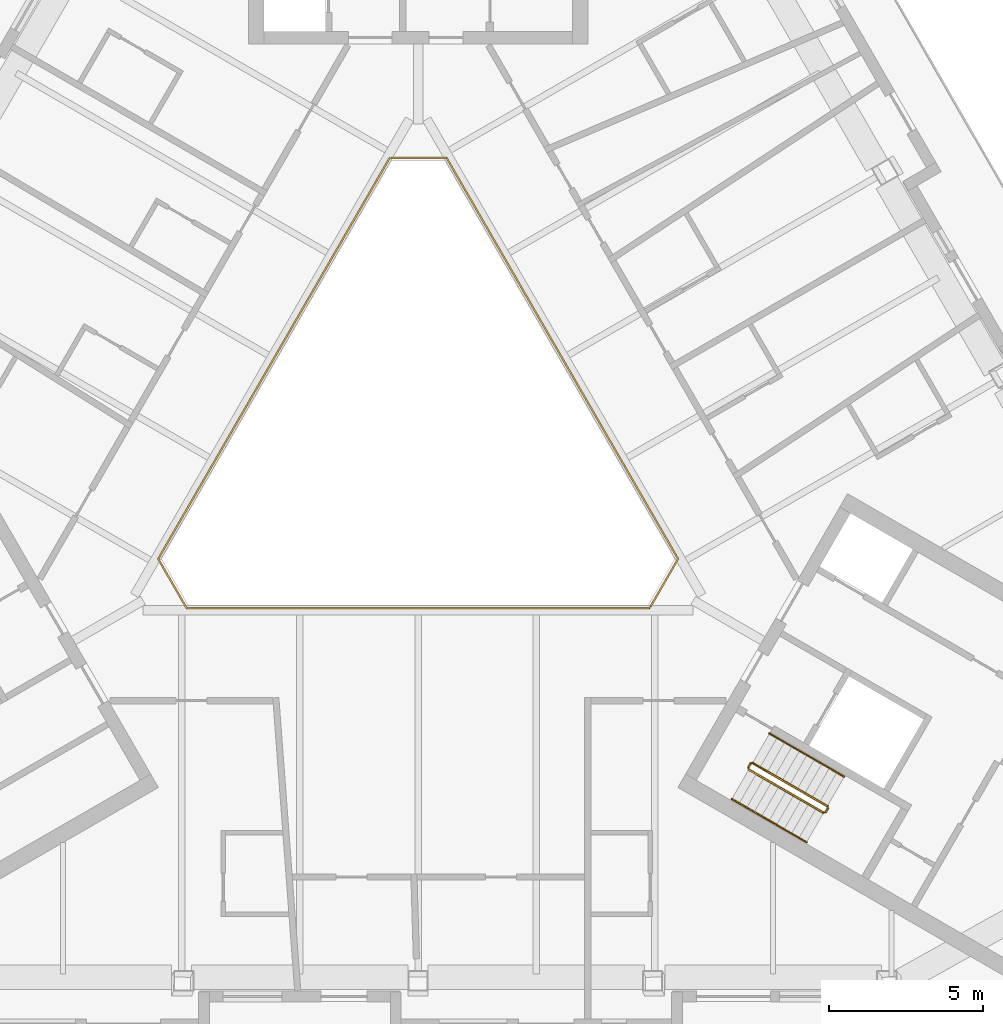
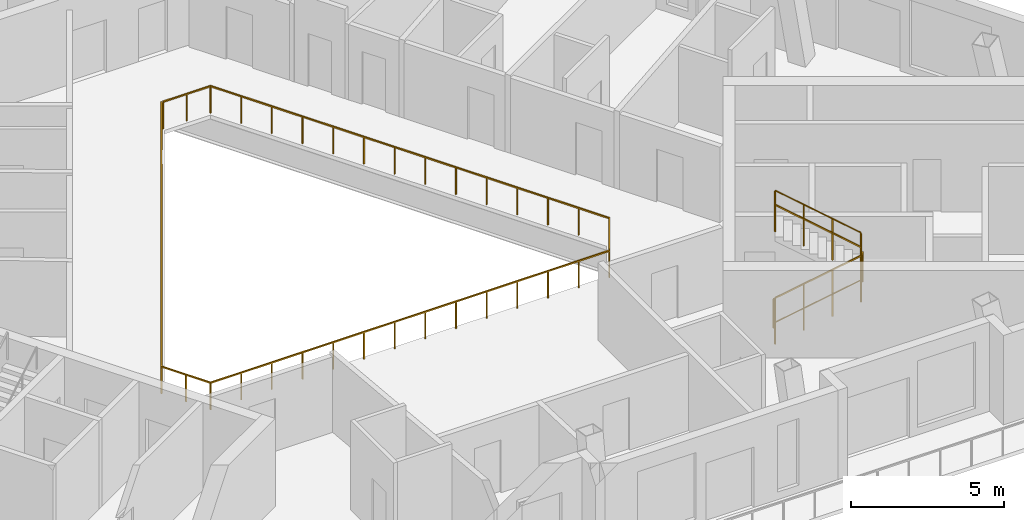
# One storey, part 12 of 14: 8 railings.
"""IFC4 building model written with IfcOpenShell, lengths in metres."""

from ifc_helpers import new_model, si_unit, direction, frame, origin, origin_2d, place, context, subcontext, project, spatial, rectangle, circle, extrude, material, type_object, element, save


model = new_model("IFC4")

# Units and contexts
model_context = context("Model", 3, precision=1e-05, world=origin(), true_north=direction((0.0, 1.0)))
body_context = subcontext(model_context, "Body", "Model", "MODEL_VIEW")
ifc_project = project(units=[si_unit("LENGTHUNIT", "METRE"), si_unit("AREAUNIT", "SQUARE_METRE"), si_unit("VOLUMEUNIT", "CUBIC_METRE"), si_unit("PLANEANGLEUNIT", "RADIAN"), si_unit("MASSUNIT", "GRAM", prefix="KILO")], contexts=[model_context])

# Site, building, storey
site_placement = place(None, origin())
site = spatial("IfcSite", under=ifc_project, at=site_placement, CompositionType="ELEMENT")
building_placement = place(site_placement, origin())
building = spatial("IfcBuilding", under=site, at=building_placement, Name="Apuvela Tower Hotel", CompositionType="ELEMENT")
storey_placement = place(building_placement, frame((0.0, 0.0, 265.199951171875)))
storey = spatial("IfcBuildingStorey", under=building, at=storey_placement, Name="L65", CompositionType="ELEMENT", Elevation=265.199951171875)

# Railings
ifc_material_1 = material(Name="Steel S275 balustrade", Category="steel")
railing_type_1 = type_object("IfcRailingType", Name="COR-GUARD-1100", PredefinedType="GUARDRAIL", material=ifc_material_1)
railing_1_placement = place(storey_placement, frame((10.718994140625, -10.63427734375, 0.168212890625)))
element("IfcRailing", 1, at=railing_1_placement, inside=storey, type_object=railing_type_1, Name="L65 ST3 stair guard 1", PredefinedType="GUARDRAIL", context=body_context, shape_type="SweptSolid", body=[
    extrude(rectangle(XDim=0.048095703125, YDim=0.048095703125, at=origin_2d()), frame((0.0, 0.0, 1.076171875), z_axis=(0.742390482028, -0.42860119049, 0.514934356695), x_axis=(0.49998411664, 0.866034573852, 0.0)), (0.0, 0.0, 1.0), 3.26611328125),
    extrude(rectangle(XDim=0.0419921875, YDim=0.0419921875, at=origin_2d()), origin(), (0.0, 0.0, 1.0), 1.052001953125),
    extrude(rectangle(XDim=0.0419921875, YDim=0.0419921875, at=origin_2d()), frame((0.808349609375, -0.466552734375, 0.560546875)), (0.0, 0.0, 1.0), 1.052001953125),
    extrude(rectangle(XDim=0.0419921875, YDim=0.0419921875, at=origin_2d()), frame((1.616455078125, -0.933349609375, 1.121337890625)), (0.0, 0.0, 1.0), 1.052001953125),
    extrude(rectangle(XDim=0.0419921875, YDim=0.0419921875, at=origin_2d()), frame((2.4248046875, -1.39990234375, 1.681884765625)), (0.0, 0.0, 1.0), 1.052001953125),
])
railing_2_placement = place(storey_placement, frame((13.212158203125, -12.015869140625, 1.85009765625)))
element("IfcRailing", 2, at=railing_2_placement, inside=storey, type_object=railing_type_1, Name="L65 ST3 stair guard 2", PredefinedType="GUARDRAIL", context=body_context, shape_type="SweptSolid", body=[
    extrude(rectangle(XDim=0.048095703125, YDim=0.048095703125, at=origin_2d()), frame((0.0, 0.0, 1.076171875), z_axis=(0.499816412211, 0.866131372301, 0.0), x_axis=(-0.866131372301, 0.499816412211, 0.0)), (0.0, 0.0, 1.0), 0.14990234375),
    extrude(rectangle(XDim=0.0419921875, YDim=0.0419921875, at=origin_2d()), origin(), (0.0, 0.0, 1.0), 1.052001953125),
    extrude(rectangle(XDim=0.0419921875, YDim=0.0419921875, at=origin_2d()), frame((0.074951171875, 0.1298828125, 0.0)), (0.0, 0.0, 1.0), 1.052001953125),
])
railing_3_placement = place(storey_placement, frame((13.268798828125, -11.817626953125, 2.018310546875)))
element("IfcRailing", 3, at=railing_3_placement, inside=storey, type_object=railing_type_1, Name="L65 ST3 stair guard 3", PredefinedType="GUARDRAIL", context=body_context, shape_type="SweptSolid", body=[
    extrude(rectangle(XDim=0.048095703125, YDim=0.048095703125, at=origin_2d()), frame((0.0, 0.0, 1.076171875), z_axis=(-0.74241905619, 0.428617687091, 0.514879426), x_axis=(-0.49998411664, -0.866034573852, 0.0)), (0.0, 0.0, 1.0), 3.26611328125),
    extrude(rectangle(XDim=0.0419921875, YDim=0.0419921875, at=origin_2d()), origin(), (0.0, 0.0, 1.0), 1.052001953125),
    extrude(rectangle(XDim=0.0419921875, YDim=0.0419921875, at=origin_2d()), frame((-0.808349609375, 0.466552734375, 0.560546875)), (0.0, 0.0, 1.0), 1.052001953125),
    extrude(rectangle(XDim=0.0419921875, YDim=0.0419921875, at=origin_2d()), frame((-1.616455078125, 0.933349609375, 1.12109375)), (0.0, 0.0, 1.0), 1.052001953125),
    extrude(rectangle(XDim=0.0419921875, YDim=0.0419921875, at=origin_2d()), frame((-2.4248046875, 1.39990234375, 1.681640625)), (0.0, 0.0, 1.0), 1.052001953125),
])
railing_4_placement = place(storey_placement, frame((10.70068359375, -10.56591796875, 0.0)))
element("IfcRailing", 4, at=railing_4_placement, inside=storey, type_object=railing_type_1, Name="L65 ST3 stair guard 4", PredefinedType="GUARDRAIL", context=body_context, shape_type="SweptSolid", body=[
    extrude(rectangle(XDim=0.048095703125, YDim=0.048095703125, at=origin_2d()), frame((0.0, 0.0, 1.076171875), z_axis=(0.499816412211, 0.866131372301, 0.0), x_axis=(-0.866131372301, 0.499816412211, 0.0)), (0.0, 0.0, 1.0), 0.14990234375),
    extrude(rectangle(XDim=0.0419921875, YDim=0.0419921875, at=origin_2d()), origin(), (0.0, 0.0, 1.0), 1.052001953125),
    extrude(rectangle(XDim=0.0419921875, YDim=0.0419921875, at=origin_2d()), frame((0.074951171875, 0.1298828125, 0.0)), (0.0, 0.0, 1.0), 1.052001953125),
])
ifc_material_2 = material(Name="Stainless steel 316 handrail", Category="steel")
railing_type_2 = type_object("IfcRailingType", Name="COR-HANDRAIL-900", PredefinedType="HANDRAIL", material=ifc_material_2)
railing_5_placement = place(storey_placement, frame((10.1689453125, -11.5869140625, 0.168212890625)))
element("IfcRailing", 5, at=railing_5_placement, inside=storey, type_object=railing_type_2, Name="L65 ST3 stair handrail 1", PredefinedType="HANDRAIL", context=body_context, shape_type="SweptSolid", body=[
    extrude(circle(Radius=0.02392578125, at=origin_2d()), frame((0.0, 0.0, 0.8759765625), z_axis=(0.742390482028, -0.42860119049, 0.514934356695), x_axis=(0.49998411664, 0.866034573852, 0.0)), (0.0, 0.0, 1.0), 3.26611328125),
    extrude(rectangle(XDim=0.0419921875, YDim=0.0419921875, at=origin_2d()), origin(), (0.0, 0.0, 1.0), 0.851806640625),
    extrude(rectangle(XDim=0.0419921875, YDim=0.0419921875, at=origin_2d()), frame((0.808349609375, -0.466552734375, 0.560546875)), (0.0, 0.0, 1.0), 0.851806640625),
    extrude(rectangle(XDim=0.0419921875, YDim=0.0419921875, at=origin_2d()), frame((1.616455078125, -0.933349609375, 1.121337890625)), (0.0, 0.0, 1.0), 0.851806640625),
    extrude(rectangle(XDim=0.0419921875, YDim=0.0419921875, at=origin_2d()), frame((2.4248046875, -1.39990234375, 1.681884765625)), (0.0, 0.0, 1.0), 0.851806640625),
])
railing_6_placement = place(storey_placement, frame((13.81884765625, -10.864990234375, 2.018310546875)))
element("IfcRailing", 6, at=railing_6_placement, inside=storey, type_object=railing_type_2, Name="L65 ST3 stair handrail 2", PredefinedType="HANDRAIL", context=body_context, shape_type="SweptSolid", body=[
    extrude(circle(Radius=0.02392578125, at=origin_2d()), frame((0.0, 0.0, 0.8759765625), z_axis=(-0.74241905619, 0.428617687091, 0.514879426), x_axis=(-0.49998411664, -0.866034573852, 0.0)), (0.0, 0.0, 1.0), 3.26611328125),
    extrude(rectangle(XDim=0.0419921875, YDim=0.0419921875, at=origin_2d()), origin(), (0.0, 0.0, 1.0), 0.851806640625),
    extrude(rectangle(XDim=0.0419921875, YDim=0.0419921875, at=origin_2d()), frame((-0.808349609375, 0.466552734375, 0.560546875)), (0.0, 0.0, 1.0), 0.851806640625),
    extrude(rectangle(XDim=0.0419921875, YDim=0.0419921875, at=origin_2d()), frame((-1.616455078125, 0.933349609375, 1.12109375)), (0.0, 0.0, 1.0), 0.851806640625),
    extrude(rectangle(XDim=0.0419921875, YDim=0.0419921875, at=origin_2d()), frame((-2.4248046875, 1.39990234375, 1.681640625)), (0.0, 0.0, 1.0), 0.851806640625),
])
ifc_material_3 = material(Name="Stainless steel 316 rail with laminated glass infill", Category="steel")
railing_type_3 = type_object("IfcRailingType", Name="ENV-GUARD-1100", PredefinedType="GUARDRAIL", material=ifc_material_3)
railing_7_placement = place(storey_placement, frame((-0.923828125, 9.199951171875, 0.0)))
element("IfcRailing", 7, at=railing_7_placement, inside=storey, type_object=railing_type_3, Name="Atrium void guard A L65", PredefinedType="GUARDRAIL", context=body_context, shape_type="SweptSolid", body=[
    extrude(rectangle(XDim=0.050048828125, YDim=0.050048828125, at=origin_2d()), frame((0.0, 0.0, 1.0751953125), z_axis=(-0.499990886379, -0.866030665472, 0.0), x_axis=(0.866030665472, -0.499990886379, 0.0)), (0.0, 0.0, 1.0), 15.010986328125),
    extrude(rectangle(XDim=0.050048828125, YDim=0.050048828125, at=origin_2d()), frame((-7.50537109375, -13.0, 1.0751953125), z_axis=(0.499962699187, -0.866046938348, 0.0), x_axis=(0.866046938348, 0.499962699187, 0.0)), (0.0, 0.0, 1.0), 1.847412109375),
    extrude(rectangle(XDim=0.050048828125, YDim=0.050048828125, at=origin_2d()), frame((-6.581787109375, -14.599853515625, 1.0751953125), z_axis=(1.0, 0.0, 0.0), x_axis=(0.0, 1.0, 0.0)), (0.0, 0.0, 1.0), 15.01123046875),
    extrude(rectangle(XDim=0.0400390625, YDim=0.0400390625, at=origin_2d()), origin(), (0.0, 0.0, 1.0), 1.050048828125),
    extrude(rectangle(XDim=0.0400390625, YDim=0.0400390625, at=origin_2d()), frame((-0.577392578125, -1.0, 0.0)), (0.0, 0.0, 1.0), 1.050048828125),
    extrude(rectangle(XDim=0.0400390625, YDim=0.0400390625, at=origin_2d()), frame((-1.15478515625, -2.0, 0.0)), (0.0, 0.0, 1.0), 1.050048828125),
    extrude(rectangle(XDim=0.0400390625, YDim=0.0400390625, at=origin_2d()), frame((-1.73193359375, -3.0, 0.0)), (0.0, 0.0, 1.0), 1.050048828125),
    extrude(rectangle(XDim=0.0400390625, YDim=0.0400390625, at=origin_2d()), frame((-2.309326171875, -4.0, 0.0)), (0.0, 0.0, 1.0), 1.050048828125),
    extrude(rectangle(XDim=0.0400390625, YDim=0.0400390625, at=origin_2d()), frame((-2.88671875, -5.0, 0.0)), (0.0, 0.0, 1.0), 1.050048828125),
    extrude(rectangle(XDim=0.0400390625, YDim=0.0400390625, at=origin_2d()), frame((-3.464111328125, -6.0, 0.0)), (0.0, 0.0, 1.0), 1.050048828125),
    extrude(rectangle(XDim=0.0400390625, YDim=0.0400390625, at=origin_2d()), frame((-4.041259765625, -7.0, 0.0)), (0.0, 0.0, 1.0), 1.050048828125),
    extrude(rectangle(XDim=0.0400390625, YDim=0.0400390625, at=origin_2d()), frame((-4.61865234375, -8.0, 0.0)), (0.0, 0.0, 1.0), 1.050048828125),
    extrude(rectangle(XDim=0.0400390625, YDim=0.0400390625, at=origin_2d()), frame((-5.196044921875, -9.0, 0.0)), (0.0, 0.0, 1.0), 1.050048828125),
    extrude(rectangle(XDim=0.0400390625, YDim=0.0400390625, at=origin_2d()), frame((-5.7734375, -10.0, 0.0)), (0.0, 0.0, 1.0), 1.050048828125),
    extrude(rectangle(XDim=0.0400390625, YDim=0.0400390625, at=origin_2d()), frame((-6.3505859375, -11.0, 0.0)), (0.0, 0.0, 1.0), 1.050048828125),
    extrude(rectangle(XDim=0.0400390625, YDim=0.0400390625, at=origin_2d()), frame((-6.927978515625, -12.0, 0.0)), (0.0, 0.0, 1.0), 1.050048828125),
    extrude(rectangle(XDim=0.0400390625, YDim=0.0400390625, at=origin_2d()), frame((-7.50537109375, -13.0, 0.0)), (0.0, 0.0, 1.0), 1.050048828125),
    extrude(rectangle(XDim=0.0400390625, YDim=0.0400390625, at=origin_2d()), frame((-7.04345703125, -13.7998046875, 0.0)), (0.0, 0.0, 1.0), 1.050048828125),
    extrude(rectangle(XDim=0.0400390625, YDim=0.0400390625, at=origin_2d()), frame((-6.581787109375, -14.599853515625, 0.0)), (0.0, 0.0, 1.0), 1.050048828125),
    extrude(rectangle(XDim=0.0400390625, YDim=0.0400390625, at=origin_2d()), frame((-5.427001953125, -14.599853515625, 0.0)), (0.0, 0.0, 1.0), 1.050048828125),
    extrude(rectangle(XDim=0.0400390625, YDim=0.0400390625, at=origin_2d()), frame((-4.2724609375, -14.599853515625, 0.0)), (0.0, 0.0, 1.0), 1.050048828125),
    extrude(rectangle(XDim=0.0400390625, YDim=0.0400390625, at=origin_2d()), frame((-3.11767578125, -14.599853515625, 0.0)), (0.0, 0.0, 1.0), 1.050048828125),
    extrude(rectangle(XDim=0.0400390625, YDim=0.0400390625, at=origin_2d()), frame((-1.962890625, -14.599853515625, 0.0)), (0.0, 0.0, 1.0), 1.050048828125),
    extrude(rectangle(XDim=0.0400390625, YDim=0.0400390625, at=origin_2d()), frame((-0.808349609375, -14.599853515625, 0.0)), (0.0, 0.0, 1.0), 1.050048828125),
    extrude(rectangle(XDim=0.0400390625, YDim=0.0400390625, at=origin_2d()), frame((0.346435546875, -14.599853515625, 0.0)), (0.0, 0.0, 1.0), 1.050048828125),
    extrude(rectangle(XDim=0.0400390625, YDim=0.0400390625, at=origin_2d()), frame((1.501220703125, -14.599853515625, 0.0)), (0.0, 0.0, 1.0), 1.050048828125),
    extrude(rectangle(XDim=0.0400390625, YDim=0.0400390625, at=origin_2d()), frame((2.656005859375, -14.599853515625, 0.0)), (0.0, 0.0, 1.0), 1.050048828125),
    extrude(rectangle(XDim=0.0400390625, YDim=0.0400390625, at=origin_2d()), frame((3.810546875, -14.599853515625, 0.0)), (0.0, 0.0, 1.0), 1.050048828125),
    extrude(rectangle(XDim=0.0400390625, YDim=0.0400390625, at=origin_2d()), frame((4.96533203125, -14.599853515625, 0.0)), (0.0, 0.0, 1.0), 1.050048828125),
    extrude(rectangle(XDim=0.0400390625, YDim=0.0400390625, at=origin_2d()), frame((6.1201171875, -14.599853515625, 0.0)), (0.0, 0.0, 1.0), 1.050048828125),
    extrude(rectangle(XDim=0.0400390625, YDim=0.0400390625, at=origin_2d()), frame((7.274658203125, -14.599853515625, 0.0)), (0.0, 0.0, 1.0), 1.050048828125),
    extrude(rectangle(XDim=0.0400390625, YDim=0.0400390625, at=origin_2d()), frame((8.429443359375, -14.599853515625, 0.0)), (0.0, 0.0, 1.0), 1.050048828125),
])
railing_8_placement = place(storey_placement, frame((7.53564453125, -5.347900390625, 0.0)))
element("IfcRailing", 8, at=railing_8_placement, inside=storey, type_object=railing_type_3, Name="Atrium void guard B L65", PredefinedType="GUARDRAIL", context=body_context, shape_type="SweptSolid", body=[
    extrude(rectangle(XDim=0.050048828125, YDim=0.050048828125, at=origin_2d()), frame((0.0, 0.0, 1.0751953125), z_axis=(0.499958946799, 0.866049104564, 0.0), x_axis=(-0.866049104564, 0.499958946799, 0.0)), (0.0, 0.0, 1.0), 1.787353515625),
    extrude(rectangle(XDim=0.050048828125, YDim=0.050048828125, at=origin_2d()), frame((0.8935546875, 1.5478515625, 1.0751953125), z_axis=(-0.499990886379, 0.866030665472, 0.0), x_axis=(-0.866030665472, -0.499990886379, 0.0)), (0.0, 0.0, 1.0), 15.010986328125),
    extrude(rectangle(XDim=0.050048828125, YDim=0.050048828125, at=origin_2d()), frame((-6.61181640625, 14.5478515625, 1.0751953125), z_axis=(-1.0, 0.0, 0.0), x_axis=(0.0, -1.0, 0.0)), (0.0, 0.0, 1.0), 1.78759765625),
    extrude(rectangle(XDim=0.0400390625, YDim=0.0400390625, at=origin_2d()), origin(), (0.0, 0.0, 1.0), 1.050048828125),
    extrude(rectangle(XDim=0.0400390625, YDim=0.0400390625, at=origin_2d()), frame((0.44677734375, 0.77392578125, 0.0)), (0.0, 0.0, 1.0), 1.050048828125),
    extrude(rectangle(XDim=0.0400390625, YDim=0.0400390625, at=origin_2d()), frame((0.8935546875, 1.5478515625, 0.0)), (0.0, 0.0, 1.0), 1.050048828125),
    extrude(rectangle(XDim=0.0400390625, YDim=0.0400390625, at=origin_2d()), frame((0.316162109375, 2.5478515625, 0.0)), (0.0, 0.0, 1.0), 1.050048828125),
    extrude(rectangle(XDim=0.0400390625, YDim=0.0400390625, at=origin_2d()), frame((-0.26123046875, 3.5478515625, 0.0)), (0.0, 0.0, 1.0), 1.050048828125),
    extrude(rectangle(XDim=0.0400390625, YDim=0.0400390625, at=origin_2d()), frame((-0.83837890625, 4.5478515625, 0.0)), (0.0, 0.0, 1.0), 1.050048828125),
    extrude(rectangle(XDim=0.0400390625, YDim=0.0400390625, at=origin_2d()), frame((-1.415771484375, 5.5478515625, 0.0)), (0.0, 0.0, 1.0), 1.050048828125),
    extrude(rectangle(XDim=0.0400390625, YDim=0.0400390625, at=origin_2d()), frame((-1.9931640625, 6.5478515625, 0.0)), (0.0, 0.0, 1.0), 1.050048828125),
    extrude(rectangle(XDim=0.0400390625, YDim=0.0400390625, at=origin_2d()), frame((-2.570556640625, 7.5478515625, 0.0)), (0.0, 0.0, 1.0), 1.050048828125),
    extrude(rectangle(XDim=0.0400390625, YDim=0.0400390625, at=origin_2d()), frame((-3.147705078125, 8.5478515625, 0.0)), (0.0, 0.0, 1.0), 1.050048828125),
    extrude(rectangle(XDim=0.0400390625, YDim=0.0400390625, at=origin_2d()), frame((-3.72509765625, 9.5478515625, 0.0)), (0.0, 0.0, 1.0), 1.050048828125),
    extrude(rectangle(XDim=0.0400390625, YDim=0.0400390625, at=origin_2d()), frame((-4.302490234375, 10.5478515625, 0.0)), (0.0, 0.0, 1.0), 1.050048828125),
    extrude(rectangle(XDim=0.0400390625, YDim=0.0400390625, at=origin_2d()), frame((-4.8798828125, 11.5478515625, 0.0)), (0.0, 0.0, 1.0), 1.050048828125),
    extrude(rectangle(XDim=0.0400390625, YDim=0.0400390625, at=origin_2d()), frame((-5.45703125, 12.5478515625, 0.0)), (0.0, 0.0, 1.0), 1.050048828125),
    extrude(rectangle(XDim=0.0400390625, YDim=0.0400390625, at=origin_2d()), frame((-6.034423828125, 13.5478515625, 0.0)), (0.0, 0.0, 1.0), 1.050048828125),
    extrude(rectangle(XDim=0.0400390625, YDim=0.0400390625, at=origin_2d()), frame((-6.61181640625, 14.5478515625, 0.0)), (0.0, 0.0, 1.0), 1.050048828125),
    extrude(rectangle(XDim=0.0400390625, YDim=0.0400390625, at=origin_2d()), frame((-7.505615234375, 14.5478515625, 0.0)), (0.0, 0.0, 1.0), 1.050048828125),
    extrude(rectangle(XDim=0.0400390625, YDim=0.0400390625, at=origin_2d()), frame((-8.3994140625, 14.5478515625, 0.0)), (0.0, 0.0, 1.0), 1.050048828125),
])

save(model, "model.ifc")
